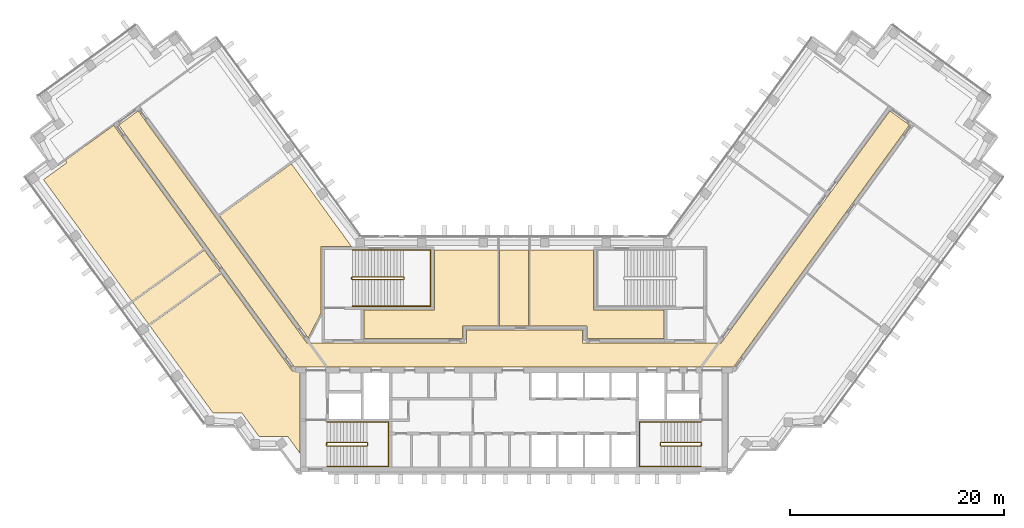
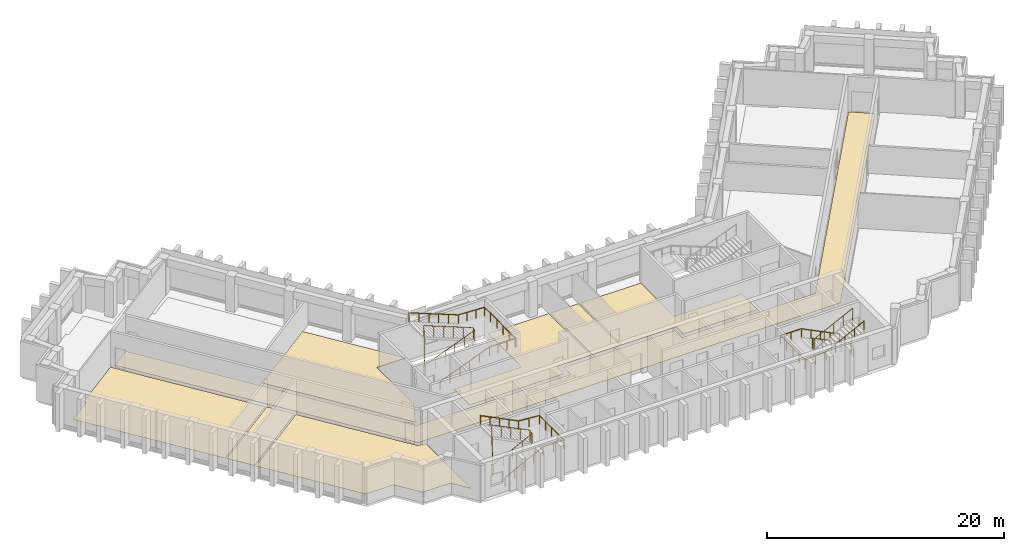
# One storey, part 10 of 11: 8 coverings, 6 railings.
"""IFC4 building model written with IfcOpenShell, lengths in metres."""

from ifc_helpers import new_model, si_unit, direction, frame, origin, origin_2d, place, context, subcontext, project, spatial, polyline, circle, outline, extrude, material, layer, layer_set, type_object, element, save


model = new_model("IFC4")

# Units and contexts
model_context = context("Model", 3, precision=1e-05, world=origin(), true_north=direction((0.0, 1.0)))
body_context = subcontext(model_context, "Body", "Model", "MODEL_VIEW")
ifc_project = project(units=[si_unit("LENGTHUNIT", "METRE"), si_unit("AREAUNIT", "SQUARE_METRE"), si_unit("VOLUMEUNIT", "CUBIC_METRE"), si_unit("PLANEANGLEUNIT", "RADIAN"), si_unit("MASSUNIT", "GRAM", prefix="KILO")], contexts=[model_context])

# Site, building, storey
site_placement = place(None, origin())
site = spatial("IfcSite", under=ifc_project, at=site_placement, CompositionType="ELEMENT")
building_placement = place(site_placement, origin())
building = spatial("IfcBuilding", under=site, at=building_placement, Name="Quipu Civic Tower", CompositionType="ELEMENT")
storey_placement = place(building_placement, frame((0.0, 0.0, 144.0)))
storey = spatial("IfcBuildingStorey", under=building, at=storey_placement, Name="L33", CompositionType="ELEMENT", Elevation=144.0)

# Coverings
ifc_material_1 = material(Name="Carpet tile on raised access floor")
ifc_layer_1 = layer(ifc_material_1, 0.02001953125)
ifc_layer_set_1 = layer_set([ifc_layer_1], Name="Carpet tile on raised access floor")
covering_type_1 = type_object("IfcCoveringType", Name="Carpet tile floor finish 20", PredefinedType="FLOORING", material=ifc_layer_set_1)
covering_1_placement = place(storey_placement, origin())
element("IfcCovering", 1, at=covering_1_placement, inside=storey, type_object=covering_type_1, Name="Carpet tile floor finish 20", PredefinedType="FLOORING", context=body_context, shape_type="SweptSolid", body=[
    extrude(outline(polyline([(-14.030029296875, 1.52001953125), (-14.030029296875, 4.179931640625), (-7.429931640625, 4.180908203125), (-7.429931640625, 9.830078125), (-1.510009765625, 9.830078125), (-1.510009765625, 2.719970703125), (-4.819091796875, 2.719970703125), (-4.820068359375, 1.52001953125), (-14.030029296875, 1.52001953125)])), origin(), (0.0, 0.0, 1.0), 0.02001953125),
])
covering_2_placement = place(storey_placement, origin())
element("IfcCovering", 2, at=covering_2_placement, inside=storey, type_object=covering_type_1, Name="Carpet tile floor finish 20", PredefinedType="FLOORING", context=body_context, shape_type="SweptSolid", body=[
    extrude(outline(polyline([(-44.074951171875, 16.4140625), (-41.89208984375, 17.9990234375), (-42.0380859375, 18.201904296875), (-37.4990234375, 21.5), (-29.0859375, 9.9189453125), (-35.80908203125, 5.034912109375), (-44.074951171875, 16.4140625)])), origin(), (0.0, 0.0, 1.0), 0.02001953125),
])
ifc_material_2 = material(Name="Ceramic floor tile")
ifc_layer_2 = layer(ifc_material_2, 0.030029296875)
ifc_layer_set_2 = layer_set([ifc_layer_2], Name="Ceramic floor tile")
covering_type_2 = type_object("IfcCoveringType", Name="Ceramic tile floor finish 30", PredefinedType="FLOORING", material=ifc_layer_set_2)
covering_3_placement = place(storey_placement, origin())
element("IfcCovering", 3, at=covering_3_placement, inside=storey, type_object=covering_type_2, Name="Ceramic tile floor finish 30", PredefinedType="FLOORING", context=body_context, shape_type="SweptSolid", body=[
    extrude(outline(polyline([(1.510009765625, 2.719970703125), (1.510009765625, 9.830078125), (7.429931640625, 9.830078125), (7.430908203125, 4.179931640625), (14.030029296875, 4.179931640625), (14.030029296875, 1.52001953125), (6.820068359375, 1.52001953125), (6.818115234375, 2.719970703125), (1.510009765625, 2.719970703125)])), origin(), (0.0, 0.0, 1.0), 0.030029296875),
])
covering_4_placement = place(storey_placement, origin())
element("IfcCovering", 4, at=covering_4_placement, inside=storey, type_object=covering_type_2, Name="Ceramic tile floor finish 30", PredefinedType="FLOORING", context=body_context, shape_type="SweptSolid", body=[
    extrude(outline(polyline([(-34.138916015625, 2.738037109375), (-27.416015625, 7.62109375), (-20.77490234375, -1.51904296875), (-20.070068359375, -1.52001953125), (-20.070068359375, -9.195068359375), (-21.196044921875, -7.64599609375), (-23.89501953125, -7.64599609375), (-25.48193359375, -5.4619140625), (-28.181884765625, -5.4609375), (-34.138916015625, 2.738037109375)])), origin(), (0.0, 0.0, 1.0), 0.030029296875),
])
covering_5_placement = place(storey_placement, origin())
element("IfcCovering", 5, at=covering_5_placement, inside=storey, type_object=covering_type_2, Name="Ceramic tile floor finish 30", PredefinedType="FLOORING", context=body_context, shape_type="SweptSolid", body=[
    extrude(outline(polyline([(-1.368896484375, 2.719970703125), (-1.368896484375, 9.830078125), (1.368896484375, 9.830078125), (1.368896484375, 2.719970703125), (-1.368896484375, 2.719970703125)])), origin(), (0.0, 0.0, 1.0), 0.030029296875),
])
ifc_material_3 = material(Name="Sealed cement screed")
ifc_layer_3 = layer(ifc_material_3, 0.050048828125)
ifc_layer_set_3 = layer_set([ifc_layer_3], Name="Sealed cement screed")
covering_type_3 = type_object("IfcCoveringType", Name="Sealed screed floor finish 50", PredefinedType="FLOORING", material=ifc_layer_set_3)
covering_6_placement = place(storey_placement, origin())
element("IfcCovering", 6, at=covering_6_placement, inside=storey, type_object=covering_type_3, Name="Sealed screed floor finish 50", PredefinedType="FLOORING", context=body_context, shape_type="SweptSolid", body=[
    extrude(outline(polyline([(-27.577880859375, 13.01708984375), (-20.85498046875, 17.90087890625), (-15.238037109375, 10.169921875), (-18.070068359375, 10.1689453125), (-18.070068359375, 3.94189453125), (-19.27197265625, 1.583984375), (-27.577880859375, 13.01708984375)])), origin(), (0.0, 0.0, 1.0), 0.050048828125),
])
covering_7_placement = place(storey_placement, origin())
element("IfcCovering", 7, at=covering_7_placement, inside=storey, type_object=covering_type_3, Name="Sealed screed floor finish 50", PredefinedType="FLOORING", context=body_context, shape_type="SweptSolid", body=[
    extrude(outline(polyline([(-35.72607421875, 4.922119140625), (-29.0029296875, 9.805908203125), (-27.4990234375, 7.73388671875), (-34.221923828125, 2.85107421875), (-35.72607421875, 4.922119140625)])), origin(), (0.0, 0.0, 1.0), 0.050048828125),
])

# Railings
ifc_material_4 = material(Name="Stainless steel", Category="steel")
railing_type_1 = type_object("IfcRailingType", Name="Stair guard 1100", PredefinedType="GUARDRAIL", material=ifc_material_4)
railing_1_placement = place(storey_placement, frame((-17.5, -8.550048828125, 0.15380859375)))
element("IfcRailing", 8, at=railing_1_placement, inside=storey, type_object=railing_type_1, Name="Stair 1 guard", PredefinedType="GUARDRAIL", context=body_context, shape_type="SweptSolid", body=[
    extrude(circle(Radius=0.02392578125, at=origin_2d()), frame((0.0, 0.0, 1.076171875), z_axis=(0.895751851347, 0.0, 0.444554407028), x_axis=(0.0, 1.0, 0.0)), (0.0, 0.0, 1.0), 4.15283203125),
    extrude(circle(Radius=0.02392578125, at=origin_2d()), frame((3.719970703125, 0.0, 2.92236328125), z_axis=(0.707106781187, 0.707106781187, 0.0), x_axis=(-0.707106781187, 0.707106781187, 0.0)), (0.0, 0.0, 1.0), 0.07080078125),
    extrude(circle(Radius=0.02392578125, at=origin_2d()), frame((3.77001953125, 0.050048828125, 2.92236328125), z_axis=(0.0, 1.0, 0.0), x_axis=(-1.0, 0.0, 0.0)), (0.0, 0.0, 1.0), 0.25),
    extrude(circle(Radius=0.02392578125, at=origin_2d()), frame((3.77001953125, 0.300048828125, 2.92236328125), z_axis=(-0.295599637079, 0.295599637079, 0.908428152975), x_axis=(-0.707106781187, -0.707106781187, 0.0)), (0.0, 0.0, 1.0), 0.16943359375),
    extrude(circle(Radius=0.02392578125, at=origin_2d()), frame((3.719970703125, 0.35009765625, 3.076171875), z_axis=(-0.895751851347, 0.0, 0.444554407028), x_axis=(0.0, -1.0, 0.0)), (0.0, 0.0, 1.0), 4.15283203125),
    extrude(circle(Radius=0.02392578125, at=origin_2d()), frame((0.0, 0.35009765625, 4.92236328125), z_axis=(-0.012476181752, -0.074796231092, -0.997120789425), x_axis=(0.986372223864, -0.164529134168, 0.0)), (0.0, 0.0, 1.0), 4.011474609375),
    extrude(circle(Radius=0.02392578125, at=origin_2d()), frame((-0.050048828125, 0.050048828125, 0.92236328125), z_axis=(0.0, 1.0, 0.0), x_axis=(-1.0, 0.0, 0.0)), (0.0, 0.0, 1.0), 0.25),
    extrude(circle(Radius=0.02099609375, at=origin_2d()), origin(), (0.0, 0.0, 1.0), 1.052001953125),
    extrude(circle(Radius=0.02099609375, at=origin_2d()), frame((0.929931640625, 0.0, 0.46142578125)), (0.0, 0.0, 1.0), 1.052001953125),
    extrude(circle(Radius=0.02099609375, at=origin_2d()), frame((1.85986328125, 0.0, 0.923095703125)), (0.0, 0.0, 1.0), 1.052001953125),
    extrude(circle(Radius=0.02099609375, at=origin_2d()), frame((2.7900390625, 0.0, 1.384765625)), (0.0, 0.0, 1.0), 1.052001953125),
    extrude(circle(Radius=0.02099609375, at=origin_2d()), frame((3.719970703125, 0.0, 1.84619140625)), (0.0, 0.0, 1.0), 1.052001953125),
    extrude(circle(Radius=0.02099609375, at=origin_2d()), frame((3.77001953125, 0.050048828125, 1.84619140625)), (0.0, 0.0, 1.0), 1.052001953125),
    extrude(circle(Radius=0.02099609375, at=origin_2d()), frame((3.77001953125, 0.300048828125, 1.84619140625)), (0.0, 0.0, 1.0), 1.052001953125),
    extrude(circle(Radius=0.02099609375, at=origin_2d()), frame((3.719970703125, 0.35009765625, 2.0)), (0.0, 0.0, 1.0), 1.052001953125),
    extrude(circle(Radius=0.02099609375, at=origin_2d()), frame((2.7900390625, 0.35009765625, 2.46142578125)), (0.0, 0.0, 1.0), 1.052001953125),
    extrude(circle(Radius=0.02099609375, at=origin_2d()), frame((1.85986328125, 0.35009765625, 2.923095703125)), (0.0, 0.0, 1.0), 1.052001953125),
    extrude(circle(Radius=0.02099609375, at=origin_2d()), frame((0.929931640625, 0.35009765625, 3.384765625)), (0.0, 0.0, 1.0), 1.052001953125),
    extrude(circle(Radius=0.02099609375, at=origin_2d()), frame((0.0, 0.35009765625, 3.84619140625)), (0.0, 0.0, 1.0), 1.052001953125),
    extrude(circle(Radius=0.02099609375, at=origin_2d()), frame((-0.012451171875, 0.275146484375, 2.84619140625)), (0.0, 0.0, 1.0), 1.052001953125),
    extrude(circle(Radius=0.02099609375, at=origin_2d()), frame((-0.02490234375, 0.2001953125, 1.84619140625)), (0.0, 0.0, 1.0), 1.052001953125),
    extrude(circle(Radius=0.02099609375, at=origin_2d()), frame((-0.03759765625, 0.125, 0.84619140625)), (0.0, 0.0, 1.0), 1.052001953125),
    extrude(circle(Radius=0.02099609375, at=origin_2d()), frame((-0.050048828125, 0.050048828125, -0.15380859375)), (0.0, 0.0, 1.0), 1.052001953125),
    extrude(circle(Radius=0.02099609375, at=origin_2d()), frame((-0.050048828125, 0.300048828125, -0.15380859375)), (0.0, 0.0, 1.0), 1.052001953125),
])
railing_2_placement = place(storey_placement, frame((17.5, -8.199951171875, 0.15380859375)))
element("IfcRailing", 9, at=railing_2_placement, inside=storey, type_object=railing_type_1, Name="Stair 2 guard", PredefinedType="GUARDRAIL", context=body_context, shape_type="SweptSolid", body=[
    extrude(circle(Radius=0.02392578125, at=origin_2d()), frame((0.0, 0.0, 1.076171875), z_axis=(-0.895751851347, 0.0, 0.444554407028), x_axis=(0.0, -1.0, 0.0)), (0.0, 0.0, 1.0), 4.15283203125),
    extrude(circle(Radius=0.02392578125, at=origin_2d()), frame((-3.719970703125, 0.0, 2.92236328125), z_axis=(-0.707106781187, -0.707106781187, 0.0), x_axis=(0.707106781187, -0.707106781187, 0.0)), (0.0, 0.0, 1.0), 0.07080078125),
    extrude(circle(Radius=0.02392578125, at=origin_2d()), frame((-3.77001953125, -0.050048828125, 2.92236328125), z_axis=(0.0, -1.0, 0.0), x_axis=(1.0, 0.0, 0.0)), (0.0, 0.0, 1.0), 0.25),
    extrude(circle(Radius=0.02392578125, at=origin_2d()), frame((-3.77001953125, -0.300048828125, 2.92236328125), z_axis=(0.295599637079, -0.295599637079, 0.908428152975), x_axis=(0.707106781187, 0.707106781187, 0.0)), (0.0, 0.0, 1.0), 0.16943359375),
    extrude(circle(Radius=0.02392578125, at=origin_2d()), frame((-3.719970703125, -0.35009765625, 3.076171875), z_axis=(0.895751851347, 0.0, 0.444554407028), x_axis=(0.0, 1.0, 0.0)), (0.0, 0.0, 1.0), 4.15283203125),
    extrude(circle(Radius=0.02392578125, at=origin_2d()), frame((0.0, -0.35009765625, 4.92236328125), z_axis=(0.012476181752, 0.074796231092, -0.997120789425), x_axis=(-0.986372223864, 0.164529134168, 0.0)), (0.0, 0.0, 1.0), 4.011474609375),
    extrude(circle(Radius=0.02392578125, at=origin_2d()), frame((0.050048828125, -0.050048828125, 0.92236328125), z_axis=(0.0, -1.0, 0.0), x_axis=(1.0, 0.0, 0.0)), (0.0, 0.0, 1.0), 0.25),
    extrude(circle(Radius=0.02099609375, at=origin_2d()), origin(), (0.0, 0.0, 1.0), 1.052001953125),
    extrude(circle(Radius=0.02099609375, at=origin_2d()), frame((-0.929931640625, 0.0, 0.46142578125)), (0.0, 0.0, 1.0), 1.052001953125),
    extrude(circle(Radius=0.02099609375, at=origin_2d()), frame((-1.85986328125, 0.0, 0.923095703125)), (0.0, 0.0, 1.0), 1.052001953125),
    extrude(circle(Radius=0.02099609375, at=origin_2d()), frame((-2.7900390625, 0.0, 1.384765625)), (0.0, 0.0, 1.0), 1.052001953125),
    extrude(circle(Radius=0.02099609375, at=origin_2d()), frame((-3.719970703125, 0.0, 1.84619140625)), (0.0, 0.0, 1.0), 1.052001953125),
    extrude(circle(Radius=0.02099609375, at=origin_2d()), frame((-3.77001953125, -0.050048828125, 1.84619140625)), (0.0, 0.0, 1.0), 1.052001953125),
    extrude(circle(Radius=0.02099609375, at=origin_2d()), frame((-3.77001953125, -0.300048828125, 1.84619140625)), (0.0, 0.0, 1.0), 1.052001953125),
    extrude(circle(Radius=0.02099609375, at=origin_2d()), frame((-3.719970703125, -0.35009765625, 2.0)), (0.0, 0.0, 1.0), 1.052001953125),
    extrude(circle(Radius=0.02099609375, at=origin_2d()), frame((-2.7900390625, -0.35009765625, 2.46142578125)), (0.0, 0.0, 1.0), 1.052001953125),
    extrude(circle(Radius=0.02099609375, at=origin_2d()), frame((-1.85986328125, -0.35009765625, 2.923095703125)), (0.0, 0.0, 1.0), 1.052001953125),
    extrude(circle(Radius=0.02099609375, at=origin_2d()), frame((-0.929931640625, -0.35009765625, 3.384765625)), (0.0, 0.0, 1.0), 1.052001953125),
    extrude(circle(Radius=0.02099609375, at=origin_2d()), frame((0.0, -0.35009765625, 3.84619140625)), (0.0, 0.0, 1.0), 1.052001953125),
    extrude(circle(Radius=0.02099609375, at=origin_2d()), frame((0.012451171875, -0.275146484375, 2.84619140625)), (0.0, 0.0, 1.0), 1.052001953125),
    extrude(circle(Radius=0.02099609375, at=origin_2d()), frame((0.02490234375, -0.2001953125, 1.84619140625)), (0.0, 0.0, 1.0), 1.052001953125),
    extrude(circle(Radius=0.02099609375, at=origin_2d()), frame((0.03759765625, -0.125, 0.84619140625)), (0.0, 0.0, 1.0), 1.052001953125),
    extrude(circle(Radius=0.02099609375, at=origin_2d()), frame((0.050048828125, -0.050048828125, -0.15380859375)), (0.0, 0.0, 1.0), 1.052001953125),
    extrude(circle(Radius=0.02099609375, at=origin_2d()), frame((0.050048828125, -0.300048828125, -0.15380859375)), (0.0, 0.0, 1.0), 1.052001953125),
])
railing_3_placement = place(storey_placement, frame((-15.14990234375, 7.050048828125, 0.11767578125)))
element("IfcRailing", 10, at=railing_3_placement, inside=storey, type_object=railing_type_1, Name="Stair 3 guard", PredefinedType="GUARDRAIL", context=body_context, shape_type="SweptSolid", body=[
    extrude(circle(Radius=0.02392578125, at=origin_2d()), frame((0.0, 0.0, 1.076171875), z_axis=(0.930970042603, 0.0, 0.365095576219), x_axis=(0.0, 1.0, 0.0)), (0.0, 0.0, 1.0), 5.15576171875),
    extrude(circle(Radius=0.02392578125, at=origin_2d()), frame((4.7998046875, 0.0, 2.95849609375), z_axis=(0.707106781187, 0.707106781187, 0.0), x_axis=(-0.707106781187, 0.707106781187, 0.0)), (0.0, 0.0, 1.0), 0.07080078125),
    extrude(circle(Radius=0.02392578125, at=origin_2d()), frame((4.849853515625, 0.050048828125, 2.95849609375), z_axis=(0.0, 1.0, 0.0), x_axis=(-1.0, 0.0, 0.0)), (0.0, 0.0, 1.0), 0.14990234375),
    extrude(circle(Radius=0.02392578125, at=origin_2d()), frame((4.849853515625, 0.199951171875, 2.95849609375), z_axis=(-0.364463019033, 0.364463019033, 0.856932561824), x_axis=(-0.707106781187, -0.707106781187, 0.0)), (0.0, 0.0, 1.0), 0.13720703125),
    extrude(circle(Radius=0.02392578125, at=origin_2d()), frame((4.7998046875, 0.25, 3.076171875), z_axis=(-0.930970042603, 0.0, 0.365095576219), x_axis=(0.0, -1.0, 0.0)), (0.0, 0.0, 1.0), 5.15576171875),
    extrude(circle(Radius=0.02392578125, at=origin_2d()), frame((0.0, 0.25, 4.95849609375), z_axis=(-0.012495627992, -0.049921557685, -0.998674970829), x_axis=(0.970072785993, -0.242814311512, 0.0)), (0.0, 0.0, 1.0), 4.00537109375),
    extrude(circle(Radius=0.02392578125, at=origin_2d()), frame((-0.050048828125, 0.050048828125, 0.95849609375), z_axis=(0.0, 1.0, 0.0), x_axis=(-1.0, 0.0, 0.0)), (0.0, 0.0, 1.0), 0.14990234375),
    extrude(circle(Radius=0.02099609375, at=origin_2d()), origin(), (0.0, 0.0, 1.0), 1.052001953125),
    extrude(circle(Radius=0.02099609375, at=origin_2d()), frame((0.9599609375, 0.0, 0.37646484375)), (0.0, 0.0, 1.0), 1.052001953125),
    extrude(circle(Radius=0.02099609375, at=origin_2d()), frame((1.919921875, 0.0, 0.7529296875)), (0.0, 0.0, 1.0), 1.052001953125),
    extrude(circle(Radius=0.02099609375, at=origin_2d()), frame((2.8798828125, 0.0, 1.12939453125)), (0.0, 0.0, 1.0), 1.052001953125),
    extrude(circle(Radius=0.02099609375, at=origin_2d()), frame((3.83984375, 0.0, 1.505859375)), (0.0, 0.0, 1.0), 1.052001953125),
    extrude(circle(Radius=0.02099609375, at=origin_2d()), frame((4.7998046875, 0.0, 1.88232421875)), (0.0, 0.0, 1.0), 1.052001953125),
    extrude(circle(Radius=0.02099609375, at=origin_2d()), frame((4.849853515625, 0.050048828125, 1.88232421875)), (0.0, 0.0, 1.0), 1.052001953125),
    extrude(circle(Radius=0.02099609375, at=origin_2d()), frame((4.849853515625, 0.199951171875, 1.88232421875)), (0.0, 0.0, 1.0), 1.052001953125),
    extrude(circle(Radius=0.02099609375, at=origin_2d()), frame((4.7998046875, 0.25, 2.0)), (0.0, 0.0, 1.0), 1.052001953125),
    extrude(circle(Radius=0.02099609375, at=origin_2d()), frame((3.83984375, 0.25, 2.37646484375)), (0.0, 0.0, 1.0), 1.052001953125),
    extrude(circle(Radius=0.02099609375, at=origin_2d()), frame((2.8798828125, 0.25, 2.7529296875)), (0.0, 0.0, 1.0), 1.052001953125),
    extrude(circle(Radius=0.02099609375, at=origin_2d()), frame((1.919921875, 0.25, 3.12939453125)), (0.0, 0.0, 1.0), 1.052001953125),
    extrude(circle(Radius=0.02099609375, at=origin_2d()), frame((0.9599609375, 0.25, 3.505859375)), (0.0, 0.0, 1.0), 1.052001953125),
    extrude(circle(Radius=0.02099609375, at=origin_2d()), frame((0.0, 0.25, 3.88232421875)), (0.0, 0.0, 1.0), 1.052001953125),
    extrude(circle(Radius=0.02099609375, at=origin_2d()), frame((-0.012451171875, 0.199951171875, 2.88232421875)), (0.0, 0.0, 1.0), 1.052001953125),
    extrude(circle(Radius=0.02099609375, at=origin_2d()), frame((-0.02490234375, 0.14990234375, 1.88232421875)), (0.0, 0.0, 1.0), 1.052001953125),
    extrude(circle(Radius=0.02099609375, at=origin_2d()), frame((-0.03759765625, 0.10009765625, 0.88232421875)), (0.0, 0.0, 1.0), 1.052001953125),
    extrude(circle(Radius=0.02099609375, at=origin_2d()), frame((-0.050048828125, 0.050048828125, -0.11767578125)), (0.0, 0.0, 1.0), 1.052001953125),
    extrude(circle(Radius=0.02099609375, at=origin_2d()), frame((-0.050048828125, 0.199951171875, -0.11767578125)), (0.0, 0.0, 1.0), 1.052001953125),
])
ifc_material_5 = material(Name="Stainless steel", Category="steel")
railing_type_2 = type_object("IfcRailingType", Name="Stair handrail", PredefinedType="HANDRAIL", material=ifc_material_5)
railing_4_placement = place(storey_placement, frame((-17.5, -10.449951171875, 0.15380859375)))
element("IfcRailing", 11, at=railing_4_placement, inside=storey, type_object=railing_type_2, Name="Stair 1 handrail", PredefinedType="HANDRAIL", context=body_context, shape_type="SweptSolid", body=[
    extrude(circle(Radius=0.02392578125, at=origin_2d()), frame((0.0, 0.0, 0.8759765625), z_axis=(0.895751851347, 0.0, 0.444554407028), x_axis=(0.0, 1.0, 0.0)), (0.0, 0.0, 1.0), 4.15283203125),
    extrude(circle(Radius=0.02392578125, at=origin_2d()), frame((3.719970703125, 0.0, 2.72216796875), z_axis=(1.0, 0.0, 0.0), x_axis=(0.0, 1.0, 0.0)), (0.0, 0.0, 1.0), 2.030029296875),
    extrude(circle(Radius=0.02392578125, at=origin_2d()), frame((5.75, 0.0, 2.72216796875), z_axis=(0.0, 1.0, 0.0), x_axis=(-1.0, 0.0, 0.0)), (0.0, 0.0, 1.0), 4.14990234375),
    extrude(circle(Radius=0.02392578125, at=origin_2d()), frame((5.75, 4.14990234375, 2.72216796875), z_axis=(-0.997142003663, 0.0, 0.075550145798), x_axis=(0.0, -1.0, 0.0)), (0.0, 0.0, 1.0), 2.035888671875),
    extrude(circle(Radius=0.02392578125, at=origin_2d()), frame((3.719970703125, 4.14990234375, 2.8759765625), z_axis=(-0.895751851347, 0.0, 0.444554407028), x_axis=(0.0, -1.0, 0.0)), (0.0, 0.0, 1.0), 4.15283203125),
    extrude(circle(Radius=0.02099609375, at=origin_2d()), origin(), (0.0, 0.0, 1.0), 0.851806640625),
    extrude(circle(Radius=0.02099609375, at=origin_2d()), frame((0.929931640625, 0.0, 0.46142578125)), (0.0, 0.0, 1.0), 0.851806640625),
    extrude(circle(Radius=0.02099609375, at=origin_2d()), frame((1.85986328125, 0.0, 0.923095703125)), (0.0, 0.0, 1.0), 0.851806640625),
    extrude(circle(Radius=0.02099609375, at=origin_2d()), frame((2.7900390625, 0.0, 1.384765625)), (0.0, 0.0, 1.0), 0.851806640625),
    extrude(circle(Radius=0.02099609375, at=origin_2d()), frame((3.719970703125, 0.0, 1.84619140625)), (0.0, 0.0, 1.0), 0.851806640625),
    extrude(circle(Radius=0.02099609375, at=origin_2d()), frame((4.73486328125, 0.0, 1.84619140625)), (0.0, 0.0, 1.0), 0.851806640625),
    extrude(circle(Radius=0.02099609375, at=origin_2d()), frame((5.75, 0.0, 1.84619140625)), (0.0, 0.0, 1.0), 0.851806640625),
    extrude(circle(Radius=0.02099609375, at=origin_2d()), frame((5.75, 1.03759765625, 1.84619140625)), (0.0, 0.0, 1.0), 0.851806640625),
    extrude(circle(Radius=0.02099609375, at=origin_2d()), frame((5.75, 2.074951171875, 1.84619140625)), (0.0, 0.0, 1.0), 0.851806640625),
    extrude(circle(Radius=0.02099609375, at=origin_2d()), frame((5.75, 3.1123046875, 1.84619140625)), (0.0, 0.0, 1.0), 0.851806640625),
    extrude(circle(Radius=0.02099609375, at=origin_2d()), frame((5.75, 4.14990234375, 1.84619140625)), (0.0, 0.0, 1.0), 0.851806640625),
    extrude(circle(Radius=0.02099609375, at=origin_2d()), frame((4.73486328125, 4.14990234375, 1.923095703125)), (0.0, 0.0, 1.0), 0.851806640625),
    extrude(circle(Radius=0.02099609375, at=origin_2d()), frame((3.719970703125, 4.14990234375, 2.0)), (0.0, 0.0, 1.0), 0.851806640625),
    extrude(circle(Radius=0.02099609375, at=origin_2d()), frame((2.7900390625, 4.14990234375, 2.46142578125)), (0.0, 0.0, 1.0), 0.851806640625),
    extrude(circle(Radius=0.02099609375, at=origin_2d()), frame((1.85986328125, 4.14990234375, 2.923095703125)), (0.0, 0.0, 1.0), 0.851806640625),
    extrude(circle(Radius=0.02099609375, at=origin_2d()), frame((0.929931640625, 4.14990234375, 3.384765625)), (0.0, 0.0, 1.0), 0.851806640625),
    extrude(circle(Radius=0.02099609375, at=origin_2d()), frame((0.0, 4.14990234375, 3.84619140625)), (0.0, 0.0, 1.0), 0.851806640625),
])
railing_5_placement = place(storey_placement, frame((17.5, -6.300048828125, 0.15380859375)))
element("IfcRailing", 12, at=railing_5_placement, inside=storey, type_object=railing_type_2, Name="Stair 2 handrail", PredefinedType="HANDRAIL", context=body_context, shape_type="SweptSolid", body=[
    extrude(circle(Radius=0.02392578125, at=origin_2d()), frame((0.0, 0.0, 0.8759765625), z_axis=(-0.895751851347, 0.0, 0.444554407028), x_axis=(0.0, -1.0, 0.0)), (0.0, 0.0, 1.0), 4.15283203125),
    extrude(circle(Radius=0.02392578125, at=origin_2d()), frame((-3.719970703125, 0.0, 2.72216796875), z_axis=(-1.0, 0.0, 0.0), x_axis=(0.0, -1.0, 0.0)), (0.0, 0.0, 1.0), 2.030029296875),
    extrude(circle(Radius=0.02392578125, at=origin_2d()), frame((-5.75, 0.0, 2.72216796875), z_axis=(0.0, -1.0, 0.0), x_axis=(1.0, 0.0, 0.0)), (0.0, 0.0, 1.0), 4.14990234375),
    extrude(circle(Radius=0.02392578125, at=origin_2d()), frame((-5.75, -4.14990234375, 2.72216796875), z_axis=(0.997142003663, 0.0, 0.075550145798), x_axis=(0.0, 1.0, 0.0)), (0.0, 0.0, 1.0), 2.035888671875),
    extrude(circle(Radius=0.02392578125, at=origin_2d()), frame((-3.719970703125, -4.14990234375, 2.8759765625), z_axis=(0.895751851347, 0.0, 0.444554407028), x_axis=(0.0, 1.0, 0.0)), (0.0, 0.0, 1.0), 4.15283203125),
    extrude(circle(Radius=0.02099609375, at=origin_2d()), origin(), (0.0, 0.0, 1.0), 0.851806640625),
    extrude(circle(Radius=0.02099609375, at=origin_2d()), frame((-0.929931640625, 0.0, 0.46142578125)), (0.0, 0.0, 1.0), 0.851806640625),
    extrude(circle(Radius=0.02099609375, at=origin_2d()), frame((-1.85986328125, 0.0, 0.923095703125)), (0.0, 0.0, 1.0), 0.851806640625),
    extrude(circle(Radius=0.02099609375, at=origin_2d()), frame((-2.7900390625, 0.0, 1.384765625)), (0.0, 0.0, 1.0), 0.851806640625),
    extrude(circle(Radius=0.02099609375, at=origin_2d()), frame((-3.719970703125, 0.0, 1.84619140625)), (0.0, 0.0, 1.0), 0.851806640625),
    extrude(circle(Radius=0.02099609375, at=origin_2d()), frame((-4.73486328125, 0.0, 1.84619140625)), (0.0, 0.0, 1.0), 0.851806640625),
    extrude(circle(Radius=0.02099609375, at=origin_2d()), frame((-5.75, 0.0, 1.84619140625)), (0.0, 0.0, 1.0), 0.851806640625),
    extrude(circle(Radius=0.02099609375, at=origin_2d()), frame((-5.75, -1.03759765625, 1.84619140625)), (0.0, 0.0, 1.0), 0.851806640625),
    extrude(circle(Radius=0.02099609375, at=origin_2d()), frame((-5.75, -2.074951171875, 1.84619140625)), (0.0, 0.0, 1.0), 0.851806640625),
    extrude(circle(Radius=0.02099609375, at=origin_2d()), frame((-5.75, -3.1123046875, 1.84619140625)), (0.0, 0.0, 1.0), 0.851806640625),
    extrude(circle(Radius=0.02099609375, at=origin_2d()), frame((-5.75, -4.14990234375, 1.84619140625)), (0.0, 0.0, 1.0), 0.851806640625),
    extrude(circle(Radius=0.02099609375, at=origin_2d()), frame((-4.73486328125, -4.14990234375, 1.923095703125)), (0.0, 0.0, 1.0), 0.851806640625),
    extrude(circle(Radius=0.02099609375, at=origin_2d()), frame((-3.719970703125, -4.14990234375, 2.0)), (0.0, 0.0, 1.0), 0.851806640625),
    extrude(circle(Radius=0.02099609375, at=origin_2d()), frame((-2.7900390625, -4.14990234375, 2.46142578125)), (0.0, 0.0, 1.0), 0.851806640625),
    extrude(circle(Radius=0.02099609375, at=origin_2d()), frame((-1.85986328125, -4.14990234375, 2.923095703125)), (0.0, 0.0, 1.0), 0.851806640625),
    extrude(circle(Radius=0.02099609375, at=origin_2d()), frame((-0.929931640625, -4.14990234375, 3.384765625)), (0.0, 0.0, 1.0), 0.851806640625),
    extrude(circle(Radius=0.02099609375, at=origin_2d()), frame((0.0, -4.14990234375, 3.84619140625)), (0.0, 0.0, 1.0), 0.851806640625),
])
railing_6_placement = place(storey_placement, frame((-15.14990234375, 4.550048828125, 0.11767578125)))
element("IfcRailing", 13, at=railing_6_placement, inside=storey, type_object=railing_type_2, Name="Stair 3 handrail", PredefinedType="HANDRAIL", context=body_context, shape_type="SweptSolid", body=[
    extrude(circle(Radius=0.02392578125, at=origin_2d()), frame((0.0, 0.0, 0.8759765625), z_axis=(0.930970042603, 0.0, 0.365095576219), x_axis=(0.0, 1.0, 0.0)), (0.0, 0.0, 1.0), 5.15576171875),
    extrude(circle(Radius=0.02392578125, at=origin_2d()), frame((4.7998046875, 0.0, 2.75830078125), z_axis=(1.0, 0.0, 0.0), x_axis=(0.0, 1.0, 0.0)), (0.0, 0.0, 1.0), 2.550048828125),
    extrude(circle(Radius=0.02392578125, at=origin_2d()), frame((7.349853515625, 0.0, 2.75830078125), z_axis=(0.0, 1.0, 0.0), x_axis=(-1.0, 0.0, 0.0)), (0.0, 0.0, 1.0), 5.25),
    extrude(circle(Radius=0.02392578125, at=origin_2d()), frame((7.349853515625, 5.25, 2.75830078125), z_axis=(-0.998936948642, 0.0, 0.04609742549), x_axis=(0.0, -1.0, 0.0)), (0.0, 0.0, 1.0), 2.552734375),
    extrude(circle(Radius=0.02392578125, at=origin_2d()), frame((4.7998046875, 5.25, 2.8759765625), z_axis=(-0.930970042603, 0.0, 0.365095576219), x_axis=(0.0, -1.0, 0.0)), (0.0, 0.0, 1.0), 5.15576171875),
    extrude(circle(Radius=0.02099609375, at=origin_2d()), origin(), (0.0, 0.0, 1.0), 0.851806640625),
    extrude(circle(Radius=0.02099609375, at=origin_2d()), frame((0.9599609375, 0.0, 0.37646484375)), (0.0, 0.0, 1.0), 0.851806640625),
    extrude(circle(Radius=0.02099609375, at=origin_2d()), frame((1.919921875, 0.0, 0.7529296875)), (0.0, 0.0, 1.0), 0.851806640625),
    extrude(circle(Radius=0.02099609375, at=origin_2d()), frame((2.8798828125, 0.0, 1.12939453125)), (0.0, 0.0, 1.0), 0.851806640625),
    extrude(circle(Radius=0.02099609375, at=origin_2d()), frame((3.83984375, 0.0, 1.505859375)), (0.0, 0.0, 1.0), 0.851806640625),
    extrude(circle(Radius=0.02099609375, at=origin_2d()), frame((4.7998046875, 0.0, 1.88232421875)), (0.0, 0.0, 1.0), 0.851806640625),
    extrude(circle(Radius=0.02099609375, at=origin_2d()), frame((5.64990234375, 0.0, 1.88232421875)), (0.0, 0.0, 1.0), 0.851806640625),
    extrude(circle(Radius=0.02099609375, at=origin_2d()), frame((6.499755859375, 0.0, 1.88232421875)), (0.0, 0.0, 1.0), 0.851806640625),
    extrude(circle(Radius=0.02099609375, at=origin_2d()), frame((7.349853515625, 0.0, 1.88232421875)), (0.0, 0.0, 1.0), 0.851806640625),
    extrude(circle(Radius=0.02099609375, at=origin_2d()), frame((7.349853515625, 1.050048828125, 1.88232421875)), (0.0, 0.0, 1.0), 0.851806640625),
    extrude(circle(Radius=0.02099609375, at=origin_2d()), frame((7.349853515625, 2.10009765625, 1.88232421875)), (0.0, 0.0, 1.0), 0.851806640625),
    extrude(circle(Radius=0.02099609375, at=origin_2d()), frame((7.349853515625, 3.14990234375, 1.88232421875)), (0.0, 0.0, 1.0), 0.851806640625),
    extrude(circle(Radius=0.02099609375, at=origin_2d()), frame((7.349853515625, 4.199951171875, 1.88232421875)), (0.0, 0.0, 1.0), 0.851806640625),
    extrude(circle(Radius=0.02099609375, at=origin_2d()), frame((7.349853515625, 5.25, 1.88232421875)), (0.0, 0.0, 1.0), 0.851806640625),
    extrude(circle(Radius=0.02099609375, at=origin_2d()), frame((6.499755859375, 5.25, 1.921630859375)), (0.0, 0.0, 1.0), 0.851806640625),
    extrude(circle(Radius=0.02099609375, at=origin_2d()), frame((5.64990234375, 5.25, 1.960693359375)), (0.0, 0.0, 1.0), 0.851806640625),
    extrude(circle(Radius=0.02099609375, at=origin_2d()), frame((4.7998046875, 5.25, 2.0)), (0.0, 0.0, 1.0), 0.851806640625),
    extrude(circle(Radius=0.02099609375, at=origin_2d()), frame((3.83984375, 5.25, 2.37646484375)), (0.0, 0.0, 1.0), 0.851806640625),
    extrude(circle(Radius=0.02099609375, at=origin_2d()), frame((2.8798828125, 5.25, 2.7529296875)), (0.0, 0.0, 1.0), 0.851806640625),
    extrude(circle(Radius=0.02099609375, at=origin_2d()), frame((1.919921875, 5.25, 3.12939453125)), (0.0, 0.0, 1.0), 0.851806640625),
    extrude(circle(Radius=0.02099609375, at=origin_2d()), frame((0.9599609375, 5.25, 3.505859375)), (0.0, 0.0, 1.0), 0.851806640625),
    extrude(circle(Radius=0.02099609375, at=origin_2d()), frame((0.0, 5.25, 3.88232421875)), (0.0, 0.0, 1.0), 0.851806640625),
])

# Covering
ifc_material_6 = material(Name="Terrazzo floor finish")
ifc_layer_4 = layer(ifc_material_6, 0.0400390625)
ifc_layer_set_4 = layer_set([ifc_layer_4], Name="Terrazzo floor finish")
covering_type_4 = type_object("IfcCoveringType", Name="Terrazzo floor finish 40", PredefinedType="FLOORING", material=ifc_layer_set_4)
covering_8_placement = place(storey_placement, origin())
element("IfcCovering", 14, at=covering_8_placement, inside=storey, type_object=covering_type_4, Name="Terrazzo floor finish 40", PredefinedType="FLOORING", context=body_context, shape_type="SweptSolid", body=[
    extrude(outline(polyline([(19.425048828125, 1.1298828125), (35.208984375, 22.85498046875), (37.037109375, 21.527099609375), (20.574951171875, -1.1298828125), (-20.574951171875, -1.1298828125), (-37.037109375, 21.527099609375), (-35.208984375, 22.85498046875), (-19.425048828125, 1.1298828125), (-4.429931640625, 1.1298828125), (-4.429931640625, 2.330078125), (6.429931640625, 2.330078125), (6.429931640625, 1.1298828125), (19.425048828125, 1.1298828125)])), origin(), (0.0, 0.0, 1.0), 0.0400390625),
])

save(model, "model.ifc")
